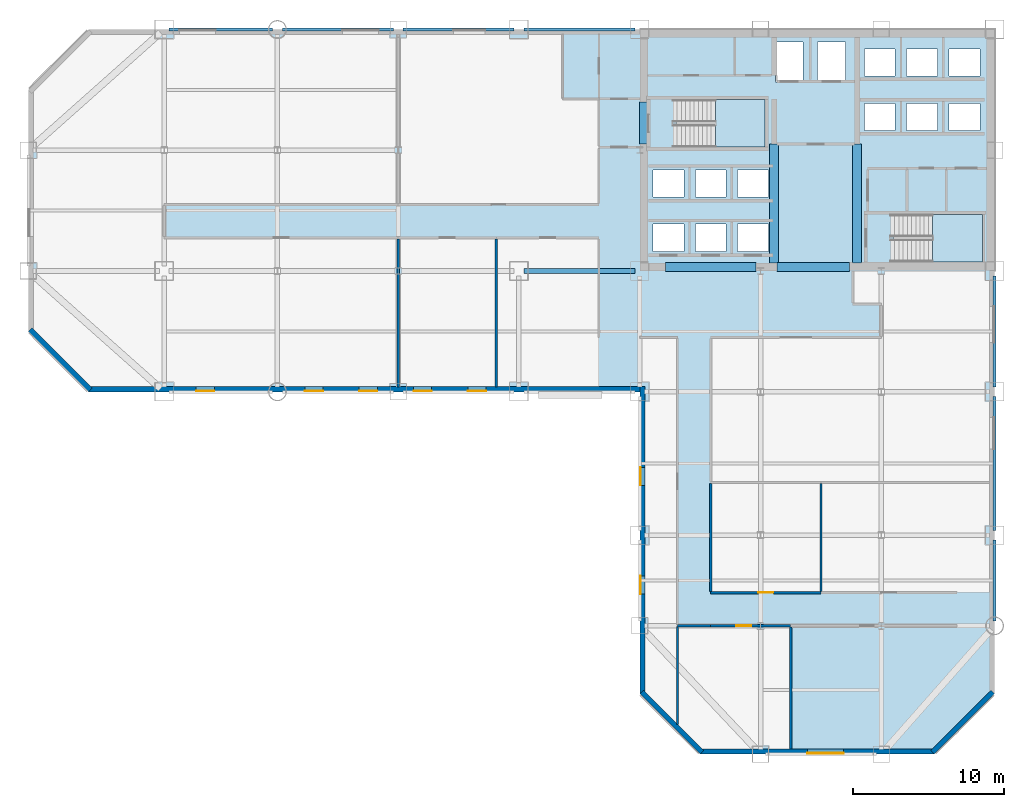
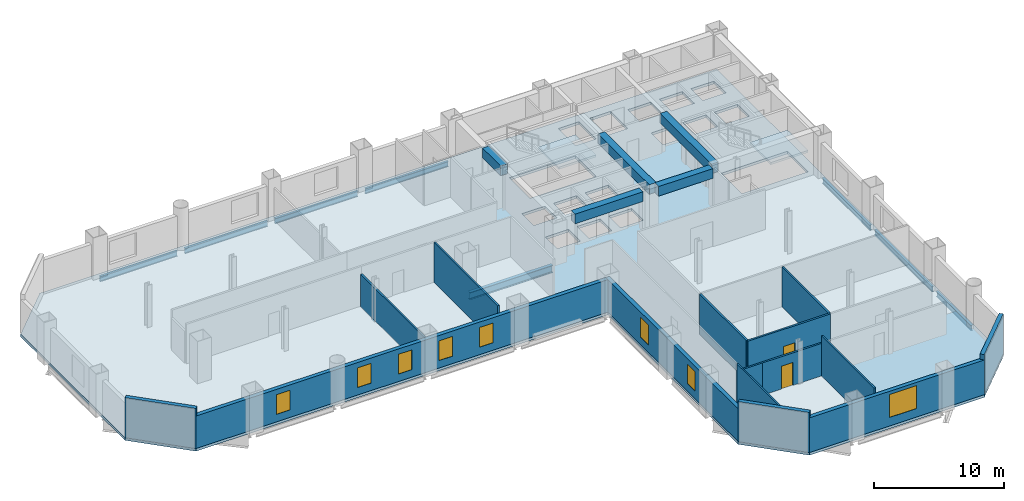
# One storey, part 4 of 9: 15 walls, 13 beams, 8 windows, 3 slabs, 2 doors, 10 openings, 2 elements without a shape of their own.
"""IFC4 building model written with IfcOpenShell, lengths in metres."""

from ifc_helpers import new_model, si_unit, direction, frame, frame_2d, origin, origin_2d, place, context, subcontext, project, spatial, polyline, rectangle, i_section, outline, extrude, material, layer, layer_set, material_profile, profile_set, type_object, element, fill, aggregate, save


model = new_model("IFC4")

# Units and contexts
model_context = context("Model", 3, precision=1e-05, world=origin(), true_north=direction((0.0, 1.0)))
body_context = subcontext(model_context, "Body", "Model", "MODEL_VIEW")
ifc_project = project(units=[si_unit("LENGTHUNIT", "METRE"), si_unit("AREAUNIT", "SQUARE_METRE"), si_unit("VOLUMEUNIT", "CUBIC_METRE"), si_unit("PLANEANGLEUNIT", "RADIAN"), si_unit("MASSUNIT", "GRAM", prefix="KILO")], contexts=[model_context])

# Site, building, storey
site_placement = place(None, origin())
site = spatial("IfcSite", under=ifc_project, at=site_placement, CompositionType="ELEMENT")
building_placement = place(site_placement, origin())
building = spatial("IfcBuilding", under=site, at=building_placement, Name="Qianrong Seaharbour Tower", CompositionType="ELEMENT")
storey_placement = place(building_placement, frame((0.0, 0.0, 60.199951171875)))
storey = spatial("IfcBuildingStorey", under=building, at=storey_placement, Name="L14", CompositionType="ELEMENT", Elevation=60.199951171875)

# Beams
ifc_material_1 = material(Name="Structural steel SN490B", Category="steel")
ifc_material_profile_1 = material_profile(ifc_material_1, i_section(OverallWidth=0.300048828125, OverallDepth=0.699951171875, WebThickness=0.012939453125, FlangeThickness=0.02392578125, FilletRadius=0.02587890625, at=origin_2d()), Name="H700x300x13x24")
ifc_profile_set_1 = profile_set([ifc_material_profile_1], Name="Structural steel SN490B")
beam_type_1 = type_object("IfcBeamType", Name="BM-G-700", PredefinedType="BEAM", material=ifc_profile_set_1)
beam_1_placement = place(storey_placement, frame((32.820068359375, 36.0, -0.599853515625), z_axis=(1.0, 0.0, 0.0), x_axis=(0.0, 1.0, 0.0)))
element("IfcBeam", 1, at=beam_1_placement, inside=storey, type_object=beam_type_1, Name="L14 Primary Girder GF G5-G6", PredefinedType="BEAM", context=body_context, shape_type="SweptSolid", body=[
    extrude(i_section(OverallWidth=0.300048828125, OverallDepth=0.699951171875, WebThickness=0.012939453125, FlangeThickness=0.02392578125, FilletRadius=0.02587890625, at=origin_2d()), origin(), (0.0, 0.0, 1.0), 7.35986328125),
])
ifc_material_2 = material(Name="Concrete C70/85", Category="concrete")
ifc_material_profile_2 = material_profile(ifc_material_2, rectangle(XDim=0.60009765625, YDim=0.89990234375, at=origin_2d()), Name="RC600x900")
ifc_profile_set_2 = profile_set([ifc_material_profile_2], Name="Concrete C70/85")
beam_type_2 = type_object("IfcBeamType", Name="BM-LINTEL-900", PredefinedType="LINTEL", material=ifc_profile_set_2)
beam_2_placement = place(storey_placement, frame((40.77001953125, 44.39990234375, 3.300048828125), z_axis=(0.0, 1.0, 0.0), x_axis=(-1.0, 0.0, 0.0)))
element("IfcBeam", 2, at=beam_2_placement, inside=storey, type_object=beam_type_2, Name="L14 Core Coupling Lintel Beam West", PredefinedType="LINTEL", context=body_context, shape_type="SweptSolid", body=[
    extrude(rectangle(XDim=0.60009765625, YDim=0.89990234375, at=origin_2d()), origin(), (0.0, 0.0, 1.0), 2.800048828125),
])
beam_3_placement = place(storey_placement, frame((42.199951171875, 36.27001953125, 3.300048828125), z_axis=(1.0, 0.0, 0.0), x_axis=(0.0, 1.0, 0.0)))
element("IfcBeam", 3, at=beam_3_placement, inside=storey, type_object=beam_type_2, Name="L14 Core Coupling Lintel Beam CBW", PredefinedType="LINTEL", context=body_context, shape_type="SweptSolid", body=[
    extrude(rectangle(XDim=0.60009765625, YDim=0.89990234375, at=origin_2d()), origin(), (0.0, 0.0, 1.0), 6.0),
])
beam_4_placement = place(storey_placement, frame((49.60009765625, 36.27001953125, 3.300048828125), z_axis=(1.0, 0.0, 0.0), x_axis=(0.0, 1.0, 0.0)))
element("IfcBeam", 4, at=beam_4_placement, inside=storey, type_object=beam_type_2, Name="L14 Core Coupling Lintel Beam CBC", PredefinedType="LINTEL", context=body_context, shape_type="SweptSolid", body=[
    extrude(rectangle(XDim=0.60009765625, YDim=0.89990234375, at=origin_2d()), origin(), (0.0, 0.0, 1.0), 4.7998046875),
])
for number, where, z_axis, x_axis, name in (
    (5, (49.39990234375, 36.5400390625, 3.300048828125), (0.0, 1.0, 0.0), (-1.0, 0.0, 0.0), "L14 Internal Core Coupling Beam IW1"),
    (6, (54.89990234375, 36.5400390625, 3.300048828125), (0.0, 1.0, 0.0), (-1.0, 0.0, 0.0), "L14 Internal Core Coupling Beam IW2"),
):
    element("IfcBeam", number, at=place(storey_placement, frame(where, z_axis=z_axis, x_axis=x_axis)), inside=storey, type_object=beam_type_2, Name=name, PredefinedType="LINTEL", context=body_context, shape_type="SweptSolid", body=[
        extrude(rectangle(XDim=0.60009765625, YDim=0.89990234375, at=origin_2d()), origin(), (0.0, 0.0, 1.0), 7.85986328125),
    ])
ifc_material_profile_3 = material_profile(ifc_material_1, i_section(OverallWidth=0.199951171875, OverallDepth=0.5, WebThickness=0.010009765625, FlangeThickness=0.01611328125, FilletRadius=0.02001953125, at=origin_2d()), Name="H500x200x10x16")
ifc_profile_set_3 = profile_set([ifc_material_profile_3], Name="Structural steel SN490B")
beam_type_3 = type_object("IfcBeamType", Name="BM-SP-500", PredefinedType="SPANDREL", material=ifc_profile_set_3)
beam_5_placement = place(storey_placement, frame((9.320068359375, 52.0, -0.5), z_axis=(1.0, 0.0, 0.0), x_axis=(0.0, 1.0, 0.0)))
element("IfcBeam", 7, at=beam_5_placement, inside=storey, type_object=beam_type_3, Name="L14 Spandrel Girder GH G2-G3", PredefinedType="SPANDREL", context=body_context, shape_type="SweptSolid", body=[
    extrude(i_section(OverallWidth=0.199951171875, OverallDepth=0.5, WebThickness=0.010009765625, FlangeThickness=0.01611328125, FilletRadius=0.02001953125, at=origin_2d()), origin(), (0.0, 0.0, 1.0), 6.85986328125),
])
for number, where, z_axis, x_axis, name in (
    (8, (16.820068359375, 52.0, -0.5), (1.0, 0.0, 0.0), (0.0, 1.0, 0.0), "L14 Spandrel Girder GH G3-G4"),
    (9, (24.820068359375, 52.0, -0.5), (1.0, 0.0, 0.0), (0.0, 1.0, 0.0), "L14 Spandrel Girder GH G4-G5"),
    (10, (32.820068359375, 52.0, -0.5), (1.0, 0.0, 0.0), (0.0, 1.0, 0.0), "L14 Spandrel Girder GH G5-G6"),
):
    element("IfcBeam", number, at=place(storey_placement, frame(where, z_axis=z_axis, x_axis=x_axis)), inside=storey, type_object=beam_type_3, Name=name, PredefinedType="SPANDREL", context=body_context, shape_type="SweptSolid", body=[
        extrude(i_section(OverallWidth=0.199951171875, OverallDepth=0.5, WebThickness=0.010009765625, FlangeThickness=0.01611328125, FilletRadius=0.02001953125, at=origin_2d()), origin(), (0.0, 0.0, 1.0), 7.35986328125),
    ])
beam_6_placement = place(storey_placement, frame((64.0, 12.820068359375, -0.5), z_axis=(0.0, 1.0, 0.0), x_axis=(-1.0, 0.0, 0.0)))
element("IfcBeam", 11, at=beam_6_placement, inside=storey, type_object=beam_type_3, Name="L14 Spandrel Girder G9 GC-GD", PredefinedType="SPANDREL", context=body_context, shape_type="SweptSolid", body=[
    extrude(i_section(OverallWidth=0.199951171875, OverallDepth=0.5, WebThickness=0.010009765625, FlangeThickness=0.01611328125, FilletRadius=0.02001953125, at=origin_2d()), origin(), (0.0, 0.0, 1.0), 5.35986328125),
])
beam_7_placement = place(storey_placement, frame((64.0, 18.820068359375, -0.5), z_axis=(0.0, 1.0, 0.0), x_axis=(-1.0, 0.0, 0.0)))
element("IfcBeam", 12, at=beam_7_placement, inside=storey, type_object=beam_type_3, Name="L14 Spandrel Girder G9 GD-GE", PredefinedType="SPANDREL", context=body_context, shape_type="SweptSolid", body=[
    extrude(i_section(OverallWidth=0.199951171875, OverallDepth=0.5, WebThickness=0.010009765625, FlangeThickness=0.01611328125, FilletRadius=0.02001953125, at=origin_2d()), origin(), (0.0, 0.0, 1.0), 8.85986328125),
])
beam_8_placement = place(storey_placement, frame((64.0, 28.320068359375, -0.5), z_axis=(0.0, 1.0, 0.0), x_axis=(-1.0, 0.0, 0.0)))
element("IfcBeam", 13, at=beam_8_placement, inside=storey, type_object=beam_type_3, Name="L14 Spandrel Girder G9 GE-GF", PredefinedType="SPANDREL", context=body_context, shape_type="SweptSolid", body=[
    extrude(i_section(OverallWidth=0.199951171875, OverallDepth=0.5, WebThickness=0.010009765625, FlangeThickness=0.01611328125, FilletRadius=0.02001953125, at=origin_2d()), origin(), (0.0, 0.0, 1.0), 7.35986328125),
])

# Stair, slab
ifc_material_3 = material(Name="Concrete C50/60", Category="concrete")
stair_type = type_object("IfcStairType", Name="STAIR-DOGLEG-1500-R22", PredefinedType="HALF_TURN_STAIR", material=ifc_material_3)
stair_1_placement = place(storey_placement, origin())
stair_1 = element("IfcStair", 14, at=stair_1_placement, inside=storey, type_object=stair_type, Name="L14 Protected Escape Stair ST-1", PredefinedType="HALF_TURN_STAIR")
ifc_layer_1 = layer(ifc_material_3, 0.199951171875)
ifc_layer_set_1 = layer_set([ifc_layer_1], Name="Concrete C50/60")
slab_type_1 = type_object("IfcSlabType", Name="SLAB-STAIR-LANDING-200", PredefinedType="LANDING", material=ifc_layer_set_1)
slab_1_placement = place(storey_placement, frame((0.0, 0.0, 1.800048828125)))
slab_1 = element("IfcSlab", 15, at=slab_1_placement, type_object=slab_type_1, Name="ST-1 landing 1", PredefinedType="LANDING", context=body_context, shape_type="SweptSolid", body=[
    extrude(outline(polyline([(45.5, 44.199951171875), (48.800048828125, 44.199951171875), (48.800048828125, 47.35009765625), (45.5, 47.35009765625), (45.5, 44.199951171875)])), origin(), (0.0, 0.0, 1.0), 0.199951171875),
])
aggregate(stair_1, [slab_1])

stair_2_placement = place(storey_placement, origin())
stair_2 = element("IfcStair", 16, at=stair_2_placement, inside=storey, type_object=stair_type, Name="L14 Protected Escape Stair ST-2", PredefinedType="HALF_TURN_STAIR")
slab_2_placement = place(storey_placement, frame((0.0, 0.0, 1.800048828125)))
slab_2 = element("IfcSlab", 17, at=slab_2_placement, type_object=slab_type_1, Name="ST-2 landing 1", PredefinedType="LANDING", context=body_context, shape_type="SweptSolid", body=[
    extrude(outline(polyline([(59.89990234375, 36.60009765625), (63.199951171875, 36.60009765625), (63.199951171875, 39.75), (59.89990234375, 39.75), (59.89990234375, 36.60009765625)])), origin(), (0.0, 0.0, 1.0), 0.199951171875),
])
aggregate(stair_2, [slab_2])

# Slab
ifc_layer_2 = layer(ifc_material_3, 0.25)
ifc_layer_set_2 = layer_set([ifc_layer_2], Name="Concrete C50/60")
slab_type_2 = type_object("IfcSlabType", Name="SLAB-Z1-250", PredefinedType="FLOOR", material=ifc_layer_set_2)
slab_3_placement = place(storey_placement, frame((0.0, 0.0, -0.25)))
element("IfcSlab", 18, at=slab_3_placement, inside=storey, type_object=slab_type_2, Name="L14 Structural Floor Slab", PredefinedType="FLOOR", context=body_context, shape_type="SweptSolid", body=[
    extrude(outline(polyline([(44.5, 4.0), (60.0, 4.0), (64.0, 8.0), (64.0, 52.0), (4.0, 52.0), (0.0, 48.0), (0.0, 32.0), (4.0, 28.0), (40.5, 28.0), (40.5, 8.0), (44.5, 4.0)]), holes=[polyline([(42.93994140625, 44.199951171875), (42.93994140625, 47.35009765625), (48.800048828125, 47.35009765625), (48.800048828125, 44.199951171875), (42.93994140625, 44.199951171875)]), polyline([(57.340087890625, 36.60009765625), (57.340087890625, 39.75), (63.199951171875, 39.75), (63.199951171875, 36.60009765625), (57.340087890625, 36.60009765625)]), polyline([(49.47998046875, 48.530029296875), (49.47998046875, 51.169921875), (51.320068359375, 51.169921875), (51.320068359375, 48.530029296875), (49.47998046875, 48.530029296875)]), polyline([(52.280029296875, 48.530029296875), (52.280029296875, 51.169921875), (54.1201171875, 51.169921875), (54.1201171875, 48.530029296875), (52.280029296875, 48.530029296875)]), polyline([(41.3798828125, 37.300048828125), (41.3798828125, 39.10009765625), (43.419921875, 39.10009765625), (43.419921875, 37.300048828125), (41.3798828125, 37.300048828125)]), polyline([(44.179931640625, 37.300048828125), (44.179931640625, 39.10009765625), (46.219970703125, 39.10009765625), (46.219970703125, 37.300048828125), (44.179931640625, 37.300048828125)]), polyline([(46.97998046875, 37.300048828125), (46.97998046875, 39.10009765625), (49.02001953125, 39.10009765625), (49.02001953125, 37.300048828125), (46.97998046875, 37.300048828125)]), polyline([(41.3798828125, 40.89990234375), (41.3798828125, 42.699951171875), (43.419921875, 42.699951171875), (43.419921875, 40.89990234375), (41.3798828125, 40.89990234375)]), polyline([(44.179931640625, 40.89990234375), (44.179931640625, 42.699951171875), (46.219970703125, 42.699951171875), (46.219970703125, 40.89990234375), (44.179931640625, 40.89990234375)]), polyline([(46.97998046875, 40.89990234375), (46.97998046875, 42.699951171875), (49.02001953125, 42.699951171875), (49.02001953125, 40.89990234375), (46.97998046875, 40.89990234375)]), polyline([(55.3798828125, 45.300048828125), (55.3798828125, 47.10009765625), (57.419921875, 47.10009765625), (57.419921875, 45.300048828125), (55.3798828125, 45.300048828125)]), polyline([(58.179931640625, 45.300048828125), (58.179931640625, 47.10009765625), (60.219970703125, 47.10009765625), (60.219970703125, 45.300048828125), (58.179931640625, 45.300048828125)]), polyline([(60.97998046875, 45.300048828125), (60.97998046875, 47.10009765625), (63.02001953125, 47.10009765625), (63.02001953125, 45.300048828125), (60.97998046875, 45.300048828125)]), polyline([(55.3798828125, 48.89990234375), (55.3798828125, 50.699951171875), (57.419921875, 50.699951171875), (57.419921875, 48.89990234375), (55.3798828125, 48.89990234375)]), polyline([(58.179931640625, 48.89990234375), (58.179931640625, 50.699951171875), (60.219970703125, 50.699951171875), (60.219970703125, 48.89990234375), (58.179931640625, 48.89990234375)]), polyline([(60.97998046875, 48.89990234375), (60.97998046875, 50.699951171875), (63.02001953125, 50.699951171875), (63.02001953125, 48.89990234375), (60.97998046875, 48.89990234375)])]), origin(), (0.0, 0.0, 1.0), 0.25),
])

# Walls
ifc_material_4 = material(Name="Fire-rated acoustic gypsum board partition")
ifc_layer_3 = layer(ifc_material_4, 0.1650390625)
ifc_layer_set_3 = layer_set([ifc_layer_3], Name="Fire-rated acoustic gypsum board partition")
wall_type_1 = type_object("IfcWallType", Name="WALL-CORR-PART-165", PredefinedType="PARTITIONING", material=ifc_layer_set_3)
wall_1_placement = place(storey_placement, frame((45.199951171875, 21.935546875, 0.0), z_axis=(0.0, 0.0, 1.0), x_axis=(0.0, -1.0, 0.0)))
element("IfcWall", 19, at=wall_1_placement, inside=storey, type_object=wall_type_1, Name="L14 Interior Partition Wall 031", PredefinedType="PARTITIONING", context=body_context, shape_type="SweptSolid", body=[
    extrude(rectangle(XDim=7.1611328125, YDim=0.1650390625, at=frame_2d((3.58056640625, 0.0))), origin(), (0.0, 0.0, 1.0), 3.75),
])
wall_2_placement = place(storey_placement, frame((45.199951171875, 12.5, 0.0), z_axis=(0.0, 0.0, 1.0), x_axis=(-1.0, 0.0, 0.0)))
element("IfcWall", 20, at=wall_2_placement, inside=storey, type_object=wall_type_1, Name="L14 Interior Partition Wall 033", PredefinedType="PARTITIONING", context=body_context, shape_type="SweptSolid", body=[
    extrude(rectangle(XDim=2.199951171875, YDim=0.1650390625, at=frame_2d((1.10009765625, 0.0))), origin(), (0.0, 0.0, 1.0), 3.0419921875),
])

# Wall, opening, door
wall_3_placement = place(storey_placement, frame((45.199951171875, 14.699951171875, 0.0), z_axis=(0.0, 0.0, 1.0), x_axis=(1.0, 0.0, 0.0)))
wall_3 = element("IfcWall", 21, at=wall_3_placement, inside=storey, type_object=wall_type_1, Name="L14 Interior Partition Wall 034", PredefinedType="PARTITIONING", context=body_context, shape_type="SweptSolid", body=[
    extrude(rectangle(XDim=7.300048828125, YDim=0.1650390625, at=frame_2d((3.64990234375, 0.0))), origin(), (0.0, 0.0, 1.0), 3.75),
])
opening_1_placement = place(wall_3_placement, frame((3.14990234375, 0.0, 0.0)))
opening_1 = element("IfcOpeningElement", 22, at=opening_1_placement, cuts=wall_3, Name="Opening DO-01", PredefinedType="OPENING", context=body_context, shape_type="SweptSolid", body=[
    extrude(rectangle(XDim=1.0, YDim=2.14990234375, at=frame_2d((0.5, 1.074951171875))), frame((0.0, 0.092529296875, 0.0), z_axis=(0.0, -1.0, 0.0), x_axis=(1.0, 0.0, 0.0)), (0.0, 0.0, 1.0), 0.18505859375),
])
ifc_material_5 = material(Name="Acoustic timber and galvanized steel fire door assembly", Category="steel")
door_type = type_object("IfcDoorType", Name="DOOR-OFFICE-1000x2150", OperationType="NOTDEFINED", PredefinedType="DOOR", material=ifc_material_5)
door_1_placement = place(opening_1_placement, origin())
door_1 = element("IfcDoor", 23, at=door_1_placement, inside=storey, type_object=door_type, Name="L14 Focus Room 1 Door", OperationType="SINGLE_SWING_LEFT", OverallHeight=2.14990234375, OverallWidth=1.0, PredefinedType="DOOR", context=body_context, shape_type="SweptSolid", body=[
    extrude(rectangle(XDim=1.0, YDim=2.14990234375, at=frame_2d((0.5, 1.074951171875))), frame((0.0, 0.02490234375, 0.0), z_axis=(0.0, -1.0, 0.0), x_axis=(1.0, 0.0, 0.0)), (0.0, 0.0, 1.0), 0.050048828125),
])
fill(opening_1, door_1)

wall_4_placement = place(storey_placement, frame((50.5, 12.5, 0.0), z_axis=(0.0, 0.0, 1.0), x_axis=(-1.0, 0.0, 0.0)))
wall_4 = element("IfcWall", 24, at=wall_4_placement, inside=storey, type_object=wall_type_1, Name="L14 Interior Partition Wall 036", PredefinedType="PARTITIONING", context=body_context, shape_type="SweptSolid", body=[
    extrude(rectangle(XDim=5.300048828125, YDim=0.1650390625, at=frame_2d((2.64990234375, 0.0))), origin(), (0.0, 0.0, 1.0), 3.0419921875),
])
opening_2_placement = place(wall_4_placement, frame((2.60009765625, 0.0, 0.0)))
opening_2 = element("IfcOpeningElement", 25, at=opening_2_placement, cuts=wall_4, Name="Opening DO-01", PredefinedType="OPENING", context=body_context, shape_type="SweptSolid", body=[
    extrude(rectangle(XDim=1.0, YDim=2.14990234375, at=frame_2d((0.5, 1.074951171875))), frame((0.0, 0.092529296875, 0.0), z_axis=(0.0, -1.0, 0.0), x_axis=(1.0, 0.0, 0.0)), (0.0, 0.0, 1.0), 0.18505859375),
])
door_2_placement = place(opening_2_placement, origin())
door_2 = element("IfcDoor", 26, at=door_2_placement, inside=storey, type_object=door_type, Name="L14 Harbour Symposium Hall 1 Door", OperationType="SINGLE_SWING_RIGHT", OverallHeight=2.14990234375, OverallWidth=1.0, PredefinedType="DOOR", context=body_context, shape_type="SweptSolid", body=[
    extrude(rectangle(XDim=1.0, YDim=2.14990234375, at=frame_2d((0.5, 1.074951171875))), frame((0.0, 0.02490234375, 0.0), z_axis=(0.0, -1.0, 0.0), x_axis=(1.0, 0.0, 0.0)), (0.0, 0.0, 1.0), 0.050048828125),
])
fill(opening_2, door_2)

# Wall, openings, windows
ifc_material_6 = material(Name="Unitised buff brick on Precast concrete C45/55", Category="masonry")
ifc_layer_4 = layer(ifc_material_6, 0.340087890625)
ifc_layer_set_4 = layer_set([ifc_layer_4], Name="Unitised buff brick on Precast concrete C45/55")
wall_type_2 = type_object("IfcWallType", Name="WALL-EXT-BRICK-BUFF-340", PredefinedType="SOLIDWALL", material=ifc_layer_set_4)
wall_5_placement = place(storey_placement, frame((40.669921875, 8.0, 0.0), z_axis=(0.0, 0.0, 1.0), x_axis=(0.0, 1.0, 0.0)))
wall_5 = element("IfcWall", 27, at=wall_5_placement, inside=storey, type_object=wall_type_2, Name="L14 Exterior Masonry Facade Wall REENTRANT_WEST", PredefinedType="SOLIDWALL", context=body_context, shape_type="SweptSolid", body=[
    extrude(rectangle(XDim=20.340087890625, YDim=0.340087890625, at=frame_2d((10.169921875, 0.0))), origin(), (0.0, 0.0, 1.0), 3.050048828125),
])
opening_3_placement = place(wall_5_placement, frame((6.60009765625, 0.0, 0.699951171875)))
opening_3 = element("IfcOpeningElement", 28, at=opening_3_placement, cuts=wall_5, Name="Opening WN-01", PredefinedType="OPENING", context=body_context, shape_type="SweptSolid", body=[
    extrude(rectangle(XDim=1.199951171875, YDim=1.85009765625, at=frame_2d((0.60009765625, 0.925048828125))), frame((0.0, 0.18017578125, 0.0), z_axis=(0.0, -1.0, 0.0), x_axis=(1.0, 0.0, 0.0)), (0.0, 0.0, 1.0), 0.360107421875),
])
opening_4_placement = place(wall_5_placement, frame((13.800048828125, 0.0, 0.699951171875)))
opening_4 = element("IfcOpeningElement", 29, at=opening_4_placement, cuts=wall_5, Name="Opening WN-01", PredefinedType="OPENING", context=body_context, shape_type="SweptSolid", body=[
    extrude(rectangle(XDim=1.199951171875, YDim=1.85009765625, at=frame_2d((0.60009765625, 0.925048828125))), frame((0.0, 0.18017578125, 0.0), z_axis=(0.0, -1.0, 0.0), x_axis=(1.0, 0.0, 0.0)), (0.0, 0.0, 1.0), 0.360107421875),
])
ifc_material_7 = material(Name="Insulated low-e double glazing in thermally broken aluminium 6063-T6 frame", Category="aluminium")
window_type_1 = type_object("IfcWindowType", Name="WIN-PUNCH-1200x1850", PartitioningType="DOUBLE_PANEL_VERTICAL", PredefinedType="WINDOW", material=ifc_material_7)
window_1_placement = place(opening_3_placement, origin())
window_1 = element("IfcWindow", 30, at=window_1_placement, inside=storey, type_object=window_type_1, Name="L14 Deep-Set Punched Window 00.02", OverallHeight=1.85009765625, OverallWidth=1.199951171875, PartitioningType="DOUBLE_PANEL_VERTICAL", PredefinedType="WINDOW", context=body_context, shape_type="SweptSolid", body=[
    extrude(rectangle(XDim=1.199951171875, YDim=1.85009765625, at=frame_2d((0.60009765625, 0.925048828125))), frame((0.0, 0.150146484375, 0.0), z_axis=(0.0, -1.0, 0.0), x_axis=(1.0, 0.0, 0.0)), (0.0, 0.0, 1.0), 0.06005859375),
])
fill(opening_3, window_1)
window_2_placement = place(opening_4_placement, origin())
window_2 = element("IfcWindow", 31, at=window_2_placement, inside=storey, type_object=window_type_1, Name="L14 Deep-Set Punched Window 00.04", OverallHeight=1.85009765625, OverallWidth=1.199951171875, PartitioningType="DOUBLE_PANEL_VERTICAL", PredefinedType="WINDOW", context=body_context, shape_type="SweptSolid", body=[
    extrude(rectangle(XDim=1.199951171875, YDim=1.85009765625, at=frame_2d((0.60009765625, 0.925048828125))), frame((0.0, 0.150146484375, 0.0), z_axis=(0.0, -1.0, 0.0), x_axis=(1.0, 0.0, 0.0)), (0.0, 0.0, 1.0), 0.06005859375),
])
fill(opening_4, window_2)

wall_6_placement = place(storey_placement, frame((40.52001953125, 28.169921875, 0.0), z_axis=(0.0, 0.0, 1.0), x_axis=(-1.0, 0.0, 0.0)))
wall_6 = element("IfcWall", 32, at=wall_6_placement, inside=storey, type_object=wall_type_2, Name="L14 Exterior Masonry Facade Wall HARBOUR_RIBBON", PredefinedType="SOLIDWALL", context=body_context, shape_type="SweptSolid", body=[
    extrude(rectangle(XDim=36.52001953125, YDim=0.340087890625, at=frame_2d((18.260009765625, 0.0))), origin(), (0.0, 0.0, 1.0), 3.050048828125),
])
opening_5_placement = place(wall_6_placement, frame((10.199951171875, 0.0, 0.699951171875)))
opening_5 = element("IfcOpeningElement", 33, at=opening_5_placement, cuts=wall_6, Name="Opening WN-01", PredefinedType="OPENING", context=body_context, shape_type="SweptSolid", body=[
    extrude(rectangle(XDim=1.199951171875, YDim=1.85009765625, at=frame_2d((0.60009765625, 0.925048828125))), frame((0.0, 0.18017578125, 0.0), z_axis=(0.0, -1.0, 0.0), x_axis=(1.0, 0.0, 0.0)), (0.0, 0.0, 1.0), 0.360107421875),
])
opening_6_placement = place(wall_6_placement, frame((13.800048828125, 0.0, 0.699951171875)))
opening_6 = element("IfcOpeningElement", 34, at=opening_6_placement, cuts=wall_6, Name="Opening WN-01", PredefinedType="OPENING", context=body_context, shape_type="SweptSolid", body=[
    extrude(rectangle(XDim=1.199951171875, YDim=1.85009765625, at=frame_2d((0.60009765625, 0.925048828125))), frame((0.0, 0.18017578125, 0.0), z_axis=(0.0, -1.0, 0.0), x_axis=(1.0, 0.0, 0.0)), (0.0, 0.0, 1.0), 0.360107421875),
])
opening_7_placement = place(wall_6_placement, frame((17.39990234375, 0.0, 0.699951171875)))
opening_7 = element("IfcOpeningElement", 35, at=opening_7_placement, cuts=wall_6, Name="Opening WN-01", PredefinedType="OPENING", context=body_context, shape_type="SweptSolid", body=[
    extrude(rectangle(XDim=1.199951171875, YDim=1.85009765625, at=frame_2d((0.60009765625, 0.925048828125))), frame((0.0, 0.18017578125, 0.0), z_axis=(0.0, -1.0, 0.0), x_axis=(1.0, 0.0, 0.0)), (0.0, 0.0, 1.0), 0.360107421875),
])
opening_8_placement = place(wall_6_placement, frame((21.0, 0.0, 0.699951171875)))
opening_8 = element("IfcOpeningElement", 36, at=opening_8_placement, cuts=wall_6, Name="Opening WN-01", PredefinedType="OPENING", context=body_context, shape_type="SweptSolid", body=[
    extrude(rectangle(XDim=1.199951171875, YDim=1.85009765625, at=frame_2d((0.60009765625, 0.925048828125))), frame((0.0, 0.18017578125, 0.0), z_axis=(0.0, -1.0, 0.0), x_axis=(1.0, 0.0, 0.0)), (0.0, 0.0, 1.0), 0.360107421875),
])
opening_9_placement = place(wall_6_placement, frame((28.199951171875, 0.0, 0.699951171875)))
opening_9 = element("IfcOpeningElement", 37, at=opening_9_placement, cuts=wall_6, Name="Opening WN-01", PredefinedType="OPENING", context=body_context, shape_type="SweptSolid", body=[
    extrude(rectangle(XDim=1.199951171875, YDim=1.85009765625, at=frame_2d((0.60009765625, 0.925048828125))), frame((0.0, 0.18017578125, 0.0), z_axis=(0.0, -1.0, 0.0), x_axis=(1.0, 0.0, 0.0)), (0.0, 0.0, 1.0), 0.360107421875),
])
window_3_placement = place(opening_5_placement, origin())
window_3 = element("IfcWindow", 38, at=window_3_placement, inside=storey, type_object=window_type_1, Name="L14 Deep-Set Punched Window 01.03", OverallHeight=1.85009765625, OverallWidth=1.199951171875, PartitioningType="DOUBLE_PANEL_VERTICAL", PredefinedType="WINDOW", context=body_context, shape_type="SweptSolid", body=[
    extrude(rectangle(XDim=1.199951171875, YDim=1.85009765625, at=frame_2d((0.60009765625, 0.925048828125))), frame((0.0, 0.150146484375, 0.0), z_axis=(0.0, -1.0, 0.0), x_axis=(1.0, 0.0, 0.0)), (0.0, 0.0, 1.0), 0.06005859375),
])
fill(opening_5, window_3)
window_4_placement = place(opening_6_placement, origin())
window_4 = element("IfcWindow", 39, at=window_4_placement, inside=storey, type_object=window_type_1, Name="L14 Deep-Set Punched Window 01.04", OverallHeight=1.85009765625, OverallWidth=1.199951171875, PartitioningType="DOUBLE_PANEL_VERTICAL", PredefinedType="WINDOW", context=body_context, shape_type="SweptSolid", body=[
    extrude(rectangle(XDim=1.199951171875, YDim=1.85009765625, at=frame_2d((0.60009765625, 0.925048828125))), frame((0.0, 0.150146484375, 0.0), z_axis=(0.0, -1.0, 0.0), x_axis=(1.0, 0.0, 0.0)), (0.0, 0.0, 1.0), 0.06005859375),
])
fill(opening_6, window_4)
window_5_placement = place(opening_7_placement, origin())
window_5 = element("IfcWindow", 40, at=window_5_placement, inside=storey, type_object=window_type_1, Name="L14 Deep-Set Punched Window 01.05", OverallHeight=1.85009765625, OverallWidth=1.199951171875, PartitioningType="DOUBLE_PANEL_VERTICAL", PredefinedType="WINDOW", context=body_context, shape_type="SweptSolid", body=[
    extrude(rectangle(XDim=1.199951171875, YDim=1.85009765625, at=frame_2d((0.60009765625, 0.925048828125))), frame((0.0, 0.150146484375, 0.0), z_axis=(0.0, -1.0, 0.0), x_axis=(1.0, 0.0, 0.0)), (0.0, 0.0, 1.0), 0.06005859375),
])
fill(opening_7, window_5)
window_6_placement = place(opening_8_placement, origin())
window_6 = element("IfcWindow", 41, at=window_6_placement, inside=storey, type_object=window_type_1, Name="L14 Deep-Set Punched Window 01.06", OverallHeight=1.85009765625, OverallWidth=1.199951171875, PartitioningType="DOUBLE_PANEL_VERTICAL", PredefinedType="WINDOW", context=body_context, shape_type="SweptSolid", body=[
    extrude(rectangle(XDim=1.199951171875, YDim=1.85009765625, at=frame_2d((0.60009765625, 0.925048828125))), frame((0.0, 0.150146484375, 0.0), z_axis=(0.0, -1.0, 0.0), x_axis=(1.0, 0.0, 0.0)), (0.0, 0.0, 1.0), 0.06005859375),
])
fill(opening_8, window_6)
window_7_placement = place(opening_9_placement, origin())
window_7 = element("IfcWindow", 42, at=window_7_placement, inside=storey, type_object=window_type_1, Name="L14 Deep-Set Punched Window 01.08", OverallHeight=1.85009765625, OverallWidth=1.199951171875, PartitioningType="DOUBLE_PANEL_VERTICAL", PredefinedType="WINDOW", context=body_context, shape_type="SweptSolid", body=[
    extrude(rectangle(XDim=1.199951171875, YDim=1.85009765625, at=frame_2d((0.60009765625, 0.925048828125))), frame((0.0, 0.150146484375, 0.0), z_axis=(0.0, -1.0, 0.0), x_axis=(1.0, 0.0, 0.0)), (0.0, 0.0, 1.0), 0.06005859375),
])
fill(opening_9, window_7)

# Walls
for number, where, z_axis, x_axis, name in (
    (43, (4.1201171875, 28.1201171875, 0.0), (0.0, 0.0, 1.0), (-0.707106781187, 0.707106781187, 0.0), "L14 Exterior Masonry Facade Wall E02"),
    (44, (63.8798828125, 8.1201171875, 0.0), (0.0, 0.0, 1.0), (-0.707106781187, -0.707106781187, 0.0), "L14 Exterior Masonry Facade Wall E07"),
):
    element("IfcWall", number, at=place(storey_placement, frame(where, z_axis=z_axis, x_axis=x_axis)), inside=storey, type_object=wall_type_2, Name=name, PredefinedType="SOLIDWALL", context=body_context, shape_type="SweptSolid", body=[
        extrude(rectangle(XDim=5.65673828125, YDim=0.340087890625, at=frame_2d((2.828369140625, 0.0))), origin(), (0.0, 0.0, 1.0), 3.75),
    ])

# Wall, opening, window
wall_7_placement = place(storey_placement, frame((60.0, 4.169921875, 0.0), z_axis=(0.0, 0.0, 1.0), x_axis=(-1.0, 0.0, 0.0)))
wall_7 = element("IfcWall", 45, at=wall_7_placement, inside=storey, type_object=wall_type_2, Name="L14 Exterior Masonry Facade Wall SOUTH_TIP", PredefinedType="SOLIDWALL", context=body_context, shape_type="SweptSolid", body=[
    extrude(rectangle(XDim=15.5, YDim=0.340087890625, at=frame_2d((7.75, 0.0))), origin(), (0.0, 0.0, 1.0), 3.25),
])
opening_10_placement = place(wall_7_placement, frame((6.0, 0.0, 0.800048828125)))
opening_10 = element("IfcOpeningElement", 46, at=opening_10_placement, cuts=wall_7, Name="Opening WN-07", PredefinedType="OPENING", context=body_context, shape_type="SweptSolid", body=[
    extrude(rectangle(XDim=2.39990234375, YDim=2.14990234375, at=frame_2d((1.199951171875, 1.074951171875))), frame((0.0, 0.18017578125, 0.0), z_axis=(0.0, -1.0, 0.0), x_axis=(1.0, 0.0, 0.0)), (0.0, 0.0, 1.0), 0.360107421875),
])
window_type_2 = type_object("IfcWindowType", Name="WIN-PUNCH-2400x2150", PartitioningType="TRIPLE_PANEL_VERTICAL", PredefinedType="WINDOW", material=ifc_material_7)
window_8_placement = place(opening_10_placement, origin())
window_8 = element("IfcWindow", 47, at=window_8_placement, inside=storey, type_object=window_type_2, Name="L14 Deep-Set Punched Window 08.02", OverallHeight=2.14990234375, OverallWidth=2.39990234375, PartitioningType="TRIPLE_PANEL_VERTICAL", PredefinedType="WINDOW", context=body_context, shape_type="SweptSolid", body=[
    extrude(rectangle(XDim=2.39990234375, YDim=2.14990234375, at=frame_2d((1.199951171875, 1.074951171875))), frame((0.0, 0.150146484375, 0.0), z_axis=(0.0, -1.0, 0.0), x_axis=(1.0, 0.0, 0.0)), (0.0, 0.0, 1.0), 0.06005859375),
])
fill(opening_10, window_8)

# Walls
wall_8_placement = place(storey_placement, frame((44.6201171875, 4.1201171875, 0.0), z_axis=(0.0, 0.0, 1.0), x_axis=(-0.707106781187, 0.707106781187, 0.0)))
element("IfcWall", 48, at=wall_8_placement, inside=storey, type_object=wall_type_2, Name="L14 Exterior Masonry Facade Wall E09", PredefinedType="SOLIDWALL", context=body_context, shape_type="SweptSolid", body=[
    extrude(rectangle(XDim=5.65673828125, YDim=0.340087890625, at=frame_2d((2.828369140625, 0.0))), origin(), (0.0, 0.0, 1.0), 3.75),
])
ifc_material_8 = material(Name="Acoustic gypsum board stud partition")
ifc_layer_5 = layer(ifc_material_8, 0.14501953125)
ifc_layer_set_5 = layer_set([ifc_layer_5], Name="Acoustic gypsum board stud partition")
wall_type_3 = type_object("IfcWallType", Name="WALL-OFFICE-PART-145", PredefinedType="PARTITIONING", material=ifc_layer_set_5)
wall_9_placement = place(storey_placement, frame((24.5, 38.12548828125, 0.0), z_axis=(0.0, 0.0, 1.0), x_axis=(0.0, -1.0, 0.0)))
element("IfcWall", 49, at=wall_9_placement, inside=storey, type_object=wall_type_3, Name="L14 Interior Partition Wall 039", PredefinedType="PARTITIONING", context=body_context, shape_type="SweptSolid", body=[
    extrude(rectangle(XDim=9.79345703125, YDim=0.14501953125, at=frame_2d((4.896728515625, 0.0))), origin(), (0.0, 0.0, 1.0), 3.0419921875),
])
wall_10_placement = place(storey_placement, frame((31.0, 38.12548828125, 0.0), z_axis=(0.0, 0.0, 1.0), x_axis=(0.0, -1.0, 0.0)))
element("IfcWall", 50, at=wall_10_placement, inside=storey, type_object=wall_type_3, Name="L14 Interior Partition Wall 040", PredefinedType="PARTITIONING", context=body_context, shape_type="SweptSolid", body=[
    extrude(rectangle(XDim=9.79345703125, YDim=0.14501953125, at=frame_2d((4.896728515625, 0.0))), origin(), (0.0, 0.0, 1.0), 3.75),
])
wall_11_placement = place(storey_placement, frame((52.5, 21.935546875, 0.0), z_axis=(0.0, 0.0, 1.0), x_axis=(0.0, -1.0, 0.0)))
element("IfcWall", 51, at=wall_11_placement, inside=storey, type_object=wall_type_3, Name="L14 Interior Partition Wall 043", PredefinedType="PARTITIONING", context=body_context, shape_type="SweptSolid", body=[
    extrude(rectangle(XDim=7.1611328125, YDim=0.14501953125, at=frame_2d((3.58056640625, 0.0))), origin(), (0.0, 0.0, 1.0), 3.75),
])
wall_12_placement = place(storey_placement, frame((50.5, 12.425537109375, 0.0), z_axis=(0.0, 0.0, 1.0), x_axis=(0.0, -1.0, 0.0)))
element("IfcWall", 52, at=wall_12_placement, inside=storey, type_object=wall_type_3, Name="L14 Interior Partition Wall 045", PredefinedType="PARTITIONING", context=body_context, shape_type="SweptSolid", body=[
    extrude(rectangle(XDim=8.093505859375, YDim=0.14501953125, at=frame_2d((4.046875, 0.0))), origin(), (0.0, 0.0, 1.0), 3.75),
])
ifc_material_9 = material(Name="Water-resistant cement board sanitary partition")
ifc_layer_6 = layer(ifc_material_9, 0.1298828125)
ifc_layer_set_6 = layer_set([ifc_layer_6], Name="Water-resistant cement board sanitary partition")
wall_type_4 = type_object("IfcWallType", Name="WALL-WET-PART-130", PredefinedType="PARTITIONING", material=ifc_layer_set_6)
wall_13_placement = place(storey_placement, frame((43.0, 12.425537109375, 0.0), z_axis=(0.0, 0.0, 1.0), x_axis=(0.0, -1.0, 0.0)))
element("IfcWall", 53, at=wall_13_placement, inside=storey, type_object=wall_type_4, Name="L14 Interior Partition Wall 044", PredefinedType="PARTITIONING", context=body_context, shape_type="SweptSolid", body=[
    extrude(rectangle(XDim=6.4560546875, YDim=0.1298828125, at=frame_2d((3.22802734375, 0.0))), origin(), (0.0, 0.0, 1.0), 3.75),
])

save(model, "model.ifc")
